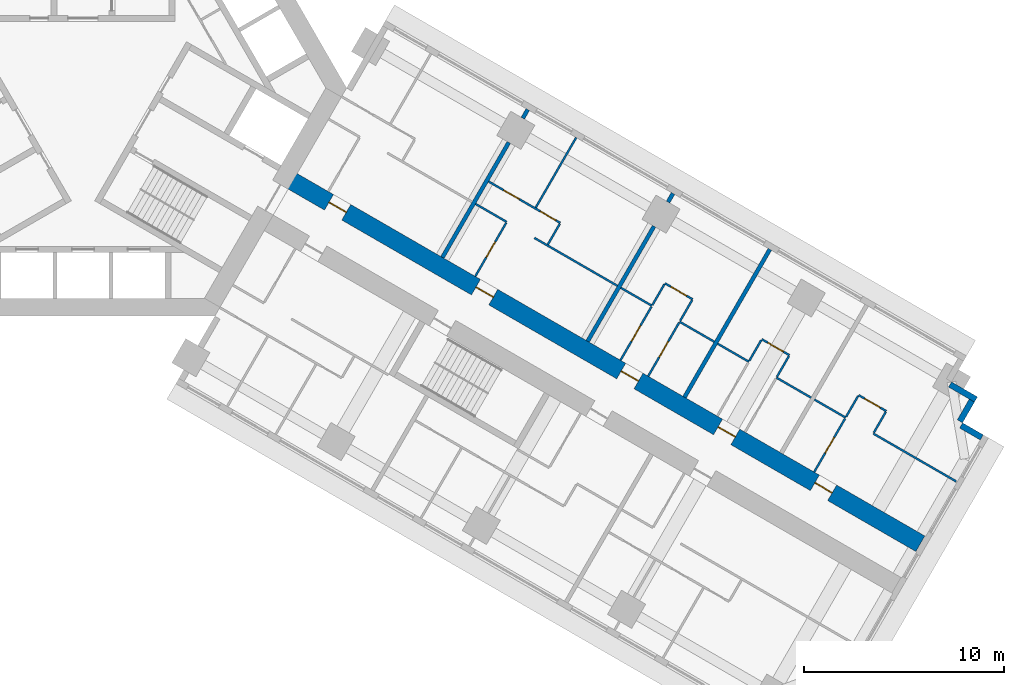
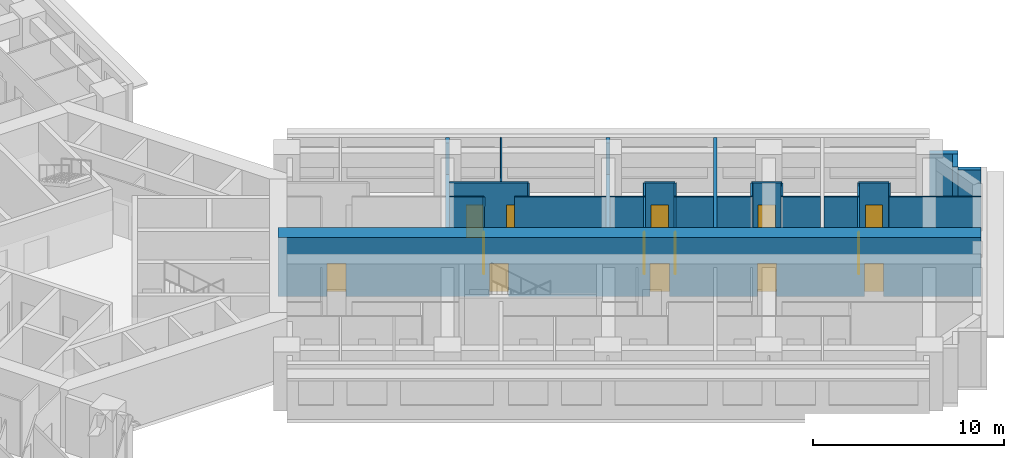
# One storey, part 12 of 16: 33 walls, 14 doors, 14 openings.
"""IFC4 building model written with IfcOpenShell, lengths in metres."""

from ifc_helpers import new_model, si_unit, direction, frame, frame_2d, origin, place, context, subcontext, project, spatial, rectangle, extrude, material, layer, layer_set, type_object, element, fill, save


model = new_model("IFC4")

# Units and contexts
model_context = context("Model", 3, precision=1e-05, world=origin(), true_north=direction((0.0, 1.0)))
body_context = subcontext(model_context, "Body", "Model", "MODEL_VIEW")
ifc_project = project(units=[si_unit("LENGTHUNIT", "METRE"), si_unit("AREAUNIT", "SQUARE_METRE"), si_unit("VOLUMEUNIT", "CUBIC_METRE"), si_unit("PLANEANGLEUNIT", "RADIAN"), si_unit("MASSUNIT", "GRAM", prefix="KILO")], contexts=[model_context])

# Site, building, storey
site_placement = place(None, origin())
site = spatial("IfcSite", under=ifc_project, at=site_placement, CompositionType="ELEMENT")
building_placement = place(site_placement, origin())
building = spatial("IfcBuilding", under=site, at=building_placement, Name="Impinga Residences", CompositionType="ELEMENT")
storey_placement = place(building_placement, frame((0.0, 0.0, 74.75)))
storey = spatial("IfcBuildingStorey", under=building, at=storey_placement, Name="L18", CompositionType="ELEMENT", Elevation=74.75)

# Wall, openings, doors
ifc_material_1 = material(Name="Concrete C70/85", Category="concrete")
ifc_layer_1 = layer(ifc_material_1, 0.89990234375)
ifc_layer_set_1 = layer_set([ifc_layer_1], Name="Concrete C70/85")
wall_type_1 = type_object("IfcWallType", Name="BW1 corridor buttress wall, L05 to L22 900", PredefinedType="SHEAR", material=ifc_layer_set_1)
wall_1_placement = place(storey_placement, frame((10.1103515625, -4.451416015625, 0.0), z_axis=(0.0, 0.0, 1.0), x_axis=(0.866025284237, -0.500000207062, 0.0)))
wall_1 = element("IfcWall", 1, at=wall_1_placement, inside=storey, type_object=wall_type_1, Name="Corridor wall BW1 EC L18", PredefinedType="SHEAR", context=body_context, shape_type="SweptSolid", body=[
    extrude(rectangle(XDim=36.75, YDim=0.89990234375, at=frame_2d((18.375, 0.0))), origin(), (0.0, 0.0, 1.0), 3.75),
])
opening_1_placement = place(wall_1_placement, frame((2.550048828125, 0.0, 0.0)))
opening_1 = element("IfcOpeningElement", 2, at=opening_1_placement, cuts=wall_1, Name="Opening D1", PredefinedType="OPENING", context=body_context, shape_type="SweptSolid", body=[
    extrude(rectangle(XDim=1.0, YDim=2.10009765625, at=frame_2d((0.5, 1.050048828125))), frame((0.0, 0.4599609375, 0.0), z_axis=(0.0, -1.0, 0.0), x_axis=(1.0, 0.0, 0.0)), (0.0, 0.0, 1.0), 0.919921875),
])
opening_2_placement = place(wall_1_placement, frame((11.050048828125, 0.0, 0.0)))
opening_2 = element("IfcOpeningElement", 3, at=opening_2_placement, cuts=wall_1, Name="Opening D1", PredefinedType="OPENING", context=body_context, shape_type="SweptSolid", body=[
    extrude(rectangle(XDim=1.0, YDim=2.10009765625, at=frame_2d((0.5, 1.050048828125))), frame((0.0, 0.4599609375, 0.0), z_axis=(0.0, -1.0, 0.0), x_axis=(1.0, 0.0, 0.0)), (0.0, 0.0, 1.0), 0.919921875),
])
opening_3_placement = place(wall_1_placement, frame((19.449951171875, 0.0, 0.0)))
opening_3 = element("IfcOpeningElement", 4, at=opening_3_placement, cuts=wall_1, Name="Opening D1", PredefinedType="OPENING", context=body_context, shape_type="SweptSolid", body=[
    extrude(rectangle(XDim=1.0, YDim=2.10009765625, at=frame_2d((0.5, 1.050048828125))), frame((0.0, 0.4599609375, 0.0), z_axis=(0.0, -1.0, 0.0), x_axis=(1.0, 0.0, 0.0)), (0.0, 0.0, 1.0), 0.919921875),
])
opening_4_placement = place(wall_1_placement, frame((25.050048828125, 0.0, 0.0)))
opening_4 = element("IfcOpeningElement", 5, at=opening_4_placement, cuts=wall_1, Name="Opening D1", PredefinedType="OPENING", context=body_context, shape_type="SweptSolid", body=[
    extrude(rectangle(XDim=1.0, YDim=2.10009765625, at=frame_2d((0.5, 1.050048828125))), frame((0.0, 0.4599609375, 0.0), z_axis=(0.0, -1.0, 0.0), x_axis=(1.0, 0.0, 0.0)), (0.0, 0.0, 1.0), 0.919921875),
])
opening_5_placement = place(wall_1_placement, frame((30.64990234375, 0.0, 0.0)))
opening_5 = element("IfcOpeningElement", 6, at=opening_5_placement, cuts=wall_1, Name="Opening D1", PredefinedType="OPENING", context=body_context, shape_type="SweptSolid", body=[
    extrude(rectangle(XDim=1.0, YDim=2.10009765625, at=frame_2d((0.5, 1.050048828125))), frame((0.0, 0.4599609375, 0.0), z_axis=(0.0, -1.0, 0.0), x_axis=(1.0, 0.0, 0.0)), (0.0, 0.0, 1.0), 0.919921875),
])
ifc_material_2 = material(Name="Timber door set", Category="wood")
door_type_1 = type_object("IfcDoorType", Name="D1 apartment entrance door 1000x2100", OperationType="SINGLE_SWING_LEFT", PredefinedType="DOOR", material=ifc_material_2)
door_1_placement = place(opening_1_placement, origin())
door_1 = element("IfcDoor", 7, at=door_1_placement, inside=storey, type_object=door_type_1, Name="Apartment L18-EA1 entrance", OperationType="SINGLE_SWING_LEFT", OverallHeight=2.10009765625, OverallWidth=1.0, PredefinedType="DOOR", context=body_context, shape_type="SweptSolid", body=[
    extrude(rectangle(XDim=1.0, YDim=2.10009765625, at=frame_2d((0.5, 1.050048828125))), frame((0.0, 0.02490234375, 0.0), z_axis=(0.0, -1.0, 0.0), x_axis=(1.0, 0.0, 0.0)), (0.0, 0.0, 1.0), 0.050048828125),
])
fill(opening_1, door_1)
door_2_placement = place(opening_2_placement, origin())
door_2 = element("IfcDoor", 8, at=door_2_placement, inside=storey, type_object=door_type_1, Name="Apartment L18-EA2 entrance", OperationType="SINGLE_SWING_LEFT", OverallHeight=2.10009765625, OverallWidth=1.0, PredefinedType="DOOR", context=body_context, shape_type="SweptSolid", body=[
    extrude(rectangle(XDim=1.0, YDim=2.10009765625, at=frame_2d((0.5, 1.050048828125))), frame((0.0, 0.02490234375, 0.0), z_axis=(0.0, -1.0, 0.0), x_axis=(1.0, 0.0, 0.0)), (0.0, 0.0, 1.0), 0.050048828125),
])
fill(opening_2, door_2)
door_3_placement = place(opening_3_placement, origin())
door_3 = element("IfcDoor", 9, at=door_3_placement, inside=storey, type_object=door_type_1, Name="Apartment L18-EA3 entrance", OperationType="SINGLE_SWING_RIGHT", OverallHeight=2.10009765625, OverallWidth=1.0, PredefinedType="DOOR", context=body_context, shape_type="SweptSolid", body=[
    extrude(rectangle(XDim=1.0, YDim=2.10009765625, at=frame_2d((0.5, 1.050048828125))), frame((0.0, 0.02490234375, 0.0), z_axis=(0.0, -1.0, 0.0), x_axis=(1.0, 0.0, 0.0)), (0.0, 0.0, 1.0), 0.050048828125),
])
fill(opening_3, door_3)
door_4_placement = place(opening_4_placement, origin())
door_4 = element("IfcDoor", 10, at=door_4_placement, inside=storey, type_object=door_type_1, Name="Apartment L18-EA4 entrance", OperationType="SINGLE_SWING_RIGHT", OverallHeight=2.10009765625, OverallWidth=1.0, PredefinedType="DOOR", context=body_context, shape_type="SweptSolid", body=[
    extrude(rectangle(XDim=1.0, YDim=2.10009765625, at=frame_2d((0.5, 1.050048828125))), frame((0.0, 0.02490234375, 0.0), z_axis=(0.0, -1.0, 0.0), x_axis=(1.0, 0.0, 0.0)), (0.0, 0.0, 1.0), 0.050048828125),
])
fill(opening_4, door_4)
door_5_placement = place(opening_5_placement, origin())
door_5 = element("IfcDoor", 11, at=door_5_placement, inside=storey, type_object=door_type_1, Name="Apartment L18-EA5 entrance", OperationType="SINGLE_SWING_RIGHT", OverallHeight=2.10009765625, OverallWidth=1.0, PredefinedType="DOOR", context=body_context, shape_type="SweptSolid", body=[
    extrude(rectangle(XDim=1.0, YDim=2.10009765625, at=frame_2d((0.5, 1.050048828125))), frame((0.0, 0.02490234375, 0.0), z_axis=(0.0, -1.0, 0.0), x_axis=(1.0, 0.0, 0.0)), (0.0, 0.0, 1.0), 0.050048828125),
])
fill(opening_5, door_5)

# Walls
ifc_material_3 = material(Name="Terracotta rainscreen on blockwork", Category="masonry")
ifc_layer_2 = layer(ifc_material_3, 0.300048828125)
ifc_layer_set_2 = layer_set([ifc_layer_2], Name="EW1 external wall, terracotta rainscreen on blockwork 300")
wall_type_2 = type_object("IfcWallType", Name="EW1 external wall, terracotta rainscreen on blockwork 300", PredefinedType="SOLIDWALL", material=ifc_layer_set_2)
wall_2_placement = place(storey_placement, frame((43.42333984375, -14.8515625, 0.0), z_axis=(0.0, 0.0, 1.0), x_axis=(0.866031096941, -0.499990139034, 0.0)))
element("IfcWall", 12, at=wall_2_placement, inside=storey, type_object=wall_type_2, Name="External wall EW1 L18", PredefinedType="SOLIDWALL", context=body_context, shape_type="SweptSolid", body=[
    extrude(rectangle(XDim=1.5, YDim=0.300048828125, at=frame_2d((0.75, 0.0))), origin(), (0.0, 0.0, 1.0), 3.530029296875),
])
wall_3_placement = place(storey_placement, frame((44.517578125, -15.65625, 0.0), z_axis=(0.0, 0.0, 1.0), x_axis=(-0.500033551112, -0.866006032174, 0.0)))
element("IfcWall", 13, at=wall_3_placement, inside=storey, type_object=wall_type_2, Name="External wall EW1 L18", PredefinedType="SOLIDWALL", context=body_context, shape_type="SweptSolid", body=[
    extrude(rectangle(XDim=1.2001953125, YDim=0.300048828125, at=frame_2d((0.60009765625, 0.0))), origin(), (0.0, 0.0, 1.0), 3.530029296875),
])
wall_4_placement = place(storey_placement, frame((43.976806640625, -16.903076171875, 0.0), z_axis=(0.0, 0.0, 1.0), x_axis=(0.866059708757, -0.499940577336, 0.0)))
element("IfcWall", 14, at=wall_4_placement, inside=storey, type_object=wall_type_2, Name="External wall EW1 L18", PredefinedType="SOLIDWALL", context=body_context, shape_type="SweptSolid", body=[
    extrude(rectangle(XDim=1.195068359375, YDim=0.300048828125, at=frame_2d((0.59765625, 0.0))), origin(), (0.0, 0.0, 1.0), 3.530029296875),
])
ifc_material_4 = material(Name="Gypsum board on steel studs", Category="steel")
ifc_layer_3 = layer(ifc_material_4, 0.10009765625)
ifc_layer_set_3 = layer_set([ifc_layer_3], Name="Gypsum board on steel studs")
wall_type_3 = type_object("IfcWallType", Name="IP1 partition 100", PredefinedType="PARTITIONING", material=ifc_layer_set_3)
wall_5_placement = place(storey_placement, frame((19.6611328125, -5.808837890625, 0.0), z_axis=(0.0, 0.0, 1.0), x_axis=(0.866047807691, -0.499961193289, 0.0)))
element("IfcWall", 15, at=wall_5_placement, inside=storey, type_object=wall_type_3, Name="Partition L18-EA2:DIV0", PredefinedType="PARTITIONING", context=body_context, shape_type="SweptSolid", body=[
    extrude(rectangle(XDim=1.800048828125, YDim=0.10009765625, at=frame_2d((0.89990234375, 0.0))), origin(), (0.0, 0.0, 1.0), 3.530029296875),
])
wall_6_placement = place(storey_placement, frame((22.605712890625, -7.5087890625, 0.0), z_axis=(0.0, 0.0, 1.0), x_axis=(0.866015339567, -0.500017431331, 0.0)))
element("IfcWall", 16, at=wall_6_placement, inside=storey, type_object=wall_type_3, Name="Partition L18-EA2:DIV1", PredefinedType="PARTITIONING", context=body_context, shape_type="SweptSolid", body=[
    extrude(rectangle(XDim=4.800048828125, YDim=0.10009765625, at=frame_2d((2.39990234375, 0.0))), origin(), (0.0, 0.0, 1.0), 3.530029296875),
])

# Wall, openings, doors
wall_7_placement = place(storey_placement, frame((20.311279296875, -4.68310546875, 0.0), z_axis=(0.0, 0.0, 1.0), x_axis=(0.86602981871, -0.499992353047, 0.0)))
wall_7 = element("IfcWall", 17, at=wall_7_placement, inside=storey, type_object=wall_type_3, Name="Partition L18-EA2:STRIP", PredefinedType="PARTITIONING", context=body_context, shape_type="SweptSolid", body=[
    extrude(rectangle(XDim=4.14990234375, YDim=0.10009765625, at=frame_2d((2.074951171875, 0.0))), origin(), (0.0, 0.0, 1.0), 3.530029296875),
])
opening_6_placement = place(wall_7_placement, frame((0.875, 0.0, 0.0)))
opening_6 = element("IfcOpeningElement", 18, at=opening_6_placement, cuts=wall_7, Name="Opening D2", PredefinedType="OPENING", context=body_context, shape_type="SweptSolid", body=[
    extrude(rectangle(XDim=0.89990234375, YDim=2.10009765625, at=frame_2d((0.449951171875, 1.050048828125))), frame((0.0, 0.06005859375, 0.0), z_axis=(0.0, -1.0, 0.0), x_axis=(1.0, 0.0, 0.0)), (0.0, 0.0, 1.0), 0.1201171875),
])
opening_7_placement = place(wall_7_placement, frame((3.0, 0.0, 0.0)))
opening_7 = element("IfcOpeningElement", 19, at=opening_7_placement, cuts=wall_7, Name="Opening D2", PredefinedType="OPENING", context=body_context, shape_type="SweptSolid", body=[
    extrude(rectangle(XDim=0.89990234375, YDim=2.10009765625, at=frame_2d((0.449951171875, 1.050048828125))), frame((0.0, 0.06005859375, 0.0), z_axis=(0.0, -1.0, 0.0), x_axis=(1.0, 0.0, 0.0)), (0.0, 0.0, 1.0), 0.1201171875),
])
door_type_2 = type_object("IfcDoorType", Name="D2 internal door 900x2100", OperationType="SINGLE_SWING_LEFT", PredefinedType="DOOR", material=ifc_material_2)
door_6_placement = place(opening_6_placement, origin())
door_6 = element("IfcDoor", 20, at=door_6_placement, inside=storey, type_object=door_type_2, Name="Apartment L18-EA2 room door", OperationType="SINGLE_SWING_LEFT", OverallHeight=2.10009765625, OverallWidth=0.89990234375, PredefinedType="DOOR", context=body_context, shape_type="SweptSolid", body=[
    extrude(rectangle(XDim=0.89990234375, YDim=2.10009765625, at=frame_2d((0.449951171875, 1.050048828125))), frame((0.0, 0.02490234375, 0.0), z_axis=(0.0, -1.0, 0.0), x_axis=(1.0, 0.0, 0.0)), (0.0, 0.0, 1.0), 0.050048828125),
])
fill(opening_6, door_6)
door_7_placement = place(opening_7_placement, origin())
door_7 = element("IfcDoor", 21, at=door_7_placement, inside=storey, type_object=door_type_2, Name="Apartment L18-EA2 room door", OperationType="SINGLE_SWING_RIGHT", OverallHeight=2.10009765625, OverallWidth=0.89990234375, PredefinedType="DOOR", context=body_context, shape_type="SweptSolid", body=[
    extrude(rectangle(XDim=0.89990234375, YDim=2.10009765625, at=frame_2d((0.449951171875, 1.050048828125))), frame((0.0, 0.02490234375, 0.0), z_axis=(0.0, -1.0, 0.0), x_axis=(1.0, 0.0, 0.0)), (0.0, 0.0, 1.0), 0.050048828125),
])
fill(opening_7, door_7)

# Wall
wall_8_placement = place(storey_placement, frame((23.2802734375, -7.840576171875, 0.0), z_axis=(0.0, 0.0, 1.0), x_axis=(0.499880961361, 0.866094119867, 0.0)))
element("IfcWall", 22, at=wall_8_placement, inside=storey, type_object=wall_type_3, Name="Partition L18-EA2:SE1", PredefinedType="PARTITIONING", context=body_context, shape_type="SweptSolid", body=[
    extrude(rectangle(XDim=1.199951171875, YDim=0.10009765625, at=frame_2d((0.60009765625, 0.0))), origin(), (0.0, 0.0, 1.0), 3.530029296875),
])

# Wall, opening, door
wall_9_placement = place(storey_placement, frame((19.64501953125, -9.436767578125, 0.0), z_axis=(0.0, 0.0, 1.0), x_axis=(0.500026960575, 0.86600983753, 0.0)))
wall_9 = element("IfcWall", 23, at=wall_9_placement, inside=storey, type_object=wall_type_3, Name="Partition L18-EA2:IB1", PredefinedType="PARTITIONING", context=body_context, shape_type="SweptSolid", body=[
    extrude(rectangle(XDim=3.099853515625, YDim=0.10009765625, at=frame_2d((1.5498046875, 0.0))), origin(), (0.0, 0.0, 1.0), 3.530029296875),
])
opening_8_placement = place(wall_9_placement, frame((1.10009765625, 0.0, 0.0)))
opening_8 = element("IfcOpeningElement", 24, at=opening_8_placement, cuts=wall_9, Name="Opening D2", PredefinedType="OPENING", context=body_context, shape_type="SweptSolid", body=[
    extrude(rectangle(XDim=0.89990234375, YDim=2.10009765625, at=frame_2d((0.449951171875, 1.050048828125))), frame((0.0, 0.06005859375, 0.0), z_axis=(0.0, -1.0, 0.0), x_axis=(1.0, 0.0, 0.0)), (0.0, 0.0, 1.0), 0.1201171875),
])
door_8_placement = place(opening_8_placement, origin())
door_8 = element("IfcDoor", 25, at=door_8_placement, inside=storey, type_object=door_type_2, Name="Apartment L18-EA2 bathroom door", OperationType="SINGLE_SWING_LEFT", OverallHeight=2.10009765625, OverallWidth=0.89990234375, PredefinedType="DOOR", context=body_context, shape_type="SweptSolid", body=[
    extrude(rectangle(XDim=0.89990234375, YDim=2.10009765625, at=frame_2d((0.449951171875, 1.050048828125))), frame((0.0, 0.02490234375, 0.0), z_axis=(0.0, -1.0, 0.0), x_axis=(1.0, 0.0, 0.0)), (0.0, 0.0, 1.0), 0.050048828125),
])
fill(opening_8, door_8)

# Walls
wall_10_placement = place(storey_placement, frame((22.674560546875, -5.98974609375, 0.0), z_axis=(0.0, 0.0, 1.0), x_axis=(0.499990325971, 0.866030989016, 0.0)))
element("IfcWall", 26, at=wall_10_placement, inside=storey, type_object=wall_type_3, Name="Partition L18-EA2:OB1", PredefinedType="PARTITIONING", context=body_context, shape_type="SweptSolid", body=[
    extrude(rectangle(XDim=4.0498046875, YDim=0.10009765625, at=frame_2d((2.02490234375, 0.0))), origin(), (0.0, 0.0, 1.0), 3.530029296875),
])
wall_11_placement = place(storey_placement, frame((26.935791015625, -10.0087890625, 0.0), z_axis=(0.0, 0.0, 1.0), x_axis=(0.865989075817, -0.500062916607, 0.0)))
element("IfcWall", 27, at=wall_11_placement, inside=storey, type_object=wall_type_3, Name="Partition L18-EA3:DIV0", PredefinedType="PARTITIONING", context=body_context, shape_type="SweptSolid", body=[
    extrude(rectangle(XDim=1.800048828125, YDim=0.10009765625, at=frame_2d((0.89990234375, 0.0))), origin(), (0.0, 0.0, 1.0), 3.530029296875),
])
wall_12_placement = place(storey_placement, frame((29.88037109375, -11.708740234375, 0.0), z_axis=(0.0, 0.0, 1.0), x_axis=(0.866010750942, -0.50002537861, 0.0)))
element("IfcWall", 28, at=wall_12_placement, inside=storey, type_object=wall_type_3, Name="Partition L18-EA3:DIV1", PredefinedType="PARTITIONING", context=body_context, shape_type="SweptSolid", body=[
    extrude(rectangle(XDim=2.0, YDim=0.10009765625, at=frame_2d((1.0, 0.0))), origin(), (0.0, 0.0, 1.0), 3.530029296875),
])

# Wall, opening, door
wall_13_placement = place(storey_placement, frame((29.144775390625, -9.782958984375, 0.0), z_axis=(0.0, 0.0, 1.0), x_axis=(0.865989903783, -0.500061482766, 0.0)))
wall_13 = element("IfcWall", 29, at=wall_13_placement, inside=storey, type_object=wall_type_3, Name="Partition L18-EA3:STRIP", PredefinedType="PARTITIONING", context=body_context, shape_type="SweptSolid", body=[
    extrude(rectangle(XDim=1.599853515625, YDim=0.10009765625, at=frame_2d((0.7998046875, 0.0))), origin(), (0.0, 0.0, 1.0), 3.530029296875),
])
opening_9_placement = place(wall_13_placement, frame((0.35009765625, 0.0, 0.0)))
opening_9 = element("IfcOpeningElement", 30, at=opening_9_placement, cuts=wall_13, Name="Opening D2", PredefinedType="OPENING", context=body_context, shape_type="SweptSolid", body=[
    extrude(rectangle(XDim=0.89990234375, YDim=2.10009765625, at=frame_2d((0.449951171875, 1.050048828125))), frame((0.0, 0.06005859375, 0.0), z_axis=(0.0, -1.0, 0.0), x_axis=(1.0, 0.0, 0.0)), (0.0, 0.0, 1.0), 0.1201171875),
])
door_9_placement = place(opening_9_placement, origin())
door_9 = element("IfcDoor", 31, at=door_9_placement, inside=storey, type_object=door_type_2, Name="Apartment L18-EA3 room door", OperationType="SINGLE_SWING_LEFT", OverallHeight=2.10009765625, OverallWidth=0.89990234375, PredefinedType="DOOR", context=body_context, shape_type="SweptSolid", body=[
    extrude(rectangle(XDim=0.89990234375, YDim=2.10009765625, at=frame_2d((0.449951171875, 1.050048828125))), frame((0.0, 0.02490234375, 0.0), z_axis=(0.0, -1.0, 0.0), x_axis=(1.0, 0.0, 0.0)), (0.0, 0.0, 1.0), 0.050048828125),
])
fill(opening_9, door_9)

# Walls
wall_14_placement = place(storey_placement, frame((28.519775390625, -10.865478515625, 0.0), z_axis=(0.0, 0.0, 1.0), x_axis=(0.499969057507, 0.866043267704, 0.0)))
element("IfcWall", 32, at=wall_14_placement, inside=storey, type_object=wall_type_3, Name="Partition L18-EA3:SE0", PredefinedType="PARTITIONING", context=body_context, shape_type="SweptSolid", body=[
    extrude(rectangle(XDim=1.19970703125, YDim=0.10009765625, at=frame_2d((0.599853515625, 0.0))), origin(), (0.0, 0.0, 1.0), 3.530029296875),
])
wall_15_placement = place(storey_placement, frame((29.9052734375, -11.66552734375, 0.0), z_axis=(0.0, 0.0, 1.0), x_axis=(0.500033551112, 0.866006032174, 0.0)))
element("IfcWall", 33, at=wall_15_placement, inside=storey, type_object=wall_type_3, Name="Partition L18-EA3:SE1", PredefinedType="PARTITIONING", context=body_context, shape_type="SweptSolid", body=[
    extrude(rectangle(XDim=1.2001953125, YDim=0.10009765625, at=frame_2d((0.60009765625, 0.0))), origin(), (0.0, 0.0, 1.0), 3.530029296875),
])

# Wall, opening, door
wall_16_placement = place(storey_placement, frame((26.919677734375, -13.63671875, 0.0), z_axis=(0.0, 0.0, 1.0), x_axis=(0.500026960575, 0.86600983753, 0.0)))
wall_16 = element("IfcWall", 34, at=wall_16_placement, inside=storey, type_object=wall_type_3, Name="Partition L18-EA3:IB1", PredefinedType="PARTITIONING", context=body_context, shape_type="SweptSolid", body=[
    extrude(rectangle(XDim=3.099853515625, YDim=0.10009765625, at=frame_2d((1.5498046875, 0.0))), origin(), (0.0, 0.0, 1.0), 3.530029296875),
])
opening_10_placement = place(wall_16_placement, frame((1.10009765625, 0.0, 0.0)))
opening_10 = element("IfcOpeningElement", 35, at=opening_10_placement, cuts=wall_16, Name="Opening D2", PredefinedType="OPENING", context=body_context, shape_type="SweptSolid", body=[
    extrude(rectangle(XDim=0.89990234375, YDim=2.10009765625, at=frame_2d((0.449951171875, 1.050048828125))), frame((0.0, 0.06005859375, 0.0), z_axis=(0.0, -1.0, 0.0), x_axis=(1.0, 0.0, 0.0)), (0.0, 0.0, 1.0), 0.1201171875),
])
door_10_placement = place(opening_10_placement, origin())
door_10 = element("IfcDoor", 36, at=door_10_placement, inside=storey, type_object=door_type_2, Name="Apartment L18-EA3 bathroom door", OperationType="SINGLE_SWING_LEFT", OverallHeight=2.10009765625, OverallWidth=0.89990234375, PredefinedType="DOOR", context=body_context, shape_type="SweptSolid", body=[
    extrude(rectangle(XDim=0.89990234375, YDim=2.10009765625, at=frame_2d((0.449951171875, 1.050048828125))), frame((0.0, 0.02490234375, 0.0), z_axis=(0.0, -1.0, 0.0), x_axis=(1.0, 0.0, 0.0)), (0.0, 0.0, 1.0), 0.050048828125),
])
fill(opening_10, door_10)

wall_17_placement = place(storey_placement, frame((28.305419921875, -14.436767578125, 0.0), z_axis=(0.0, 0.0, 1.0), x_axis=(0.499967891604, 0.866043940782, 0.0)))
wall_17 = element("IfcWall", 37, at=wall_17_placement, inside=storey, type_object=wall_type_3, Name="Partition L18-EA3:IB2", PredefinedType="PARTITIONING", context=body_context, shape_type="SweptSolid", body=[
    extrude(rectangle(XDim=3.099853515625, YDim=0.10009765625, at=frame_2d((1.5498046875, 0.0))), origin(), (0.0, 0.0, 1.0), 3.530029296875),
])
opening_11_placement = place(wall_17_placement, frame((1.10009765625, 0.0, 0.0)))
opening_11 = element("IfcOpeningElement", 38, at=opening_11_placement, cuts=wall_17, Name="Opening D2", PredefinedType="OPENING", context=body_context, shape_type="SweptSolid", body=[
    extrude(rectangle(XDim=0.89990234375, YDim=2.10009765625, at=frame_2d((0.449951171875, 1.050048828125))), frame((0.0, 0.06005859375, 0.0), z_axis=(0.0, -1.0, 0.0), x_axis=(1.0, 0.0, 0.0)), (0.0, 0.0, 1.0), 0.1201171875),
])
door_11_placement = place(opening_11_placement, origin())
door_11 = element("IfcDoor", 39, at=door_11_placement, inside=storey, type_object=door_type_2, Name="Apartment L18-EA3 WC door", OperationType="SINGLE_SWING_LEFT", OverallHeight=2.10009765625, OverallWidth=0.89990234375, PredefinedType="DOOR", context=body_context, shape_type="SweptSolid", body=[
    extrude(rectangle(XDim=0.89990234375, YDim=2.10009765625, at=frame_2d((0.449951171875, 1.050048828125))), frame((0.0, 0.02490234375, 0.0), z_axis=(0.0, -1.0, 0.0), x_axis=(1.0, 0.0, 0.0)), (0.0, 0.0, 1.0), 0.050048828125),
])
fill(opening_11, door_11)

# Walls
wall_18_placement = place(storey_placement, frame((31.78564453125, -12.808837890625, 0.0), z_axis=(0.0, 0.0, 1.0), x_axis=(0.866047807691, -0.499961193289, 0.0)))
element("IfcWall", 40, at=wall_18_placement, inside=storey, type_object=wall_type_3, Name="Partition L18-EA4:DIV0", PredefinedType="PARTITIONING", context=body_context, shape_type="SweptSolid", body=[
    extrude(rectangle(XDim=1.800048828125, YDim=0.10009765625, at=frame_2d((0.89990234375, 0.0))), origin(), (0.0, 0.0, 1.0), 3.530029296875),
])
wall_19_placement = place(storey_placement, frame((34.72998046875, -14.5087890625, 0.0), z_axis=(0.0, 0.0, 1.0), x_axis=(0.866041268327, -0.499972520799, 0.0)))
element("IfcWall", 41, at=wall_19_placement, inside=storey, type_object=wall_type_3, Name="Partition L18-EA4:DIV1", PredefinedType="PARTITIONING", context=body_context, shape_type="SweptSolid", body=[
    extrude(rectangle(XDim=2.0, YDim=0.10009765625, at=frame_2d((1.0, 0.0))), origin(), (0.0, 0.0, 1.0), 3.530029296875),
])

# Wall, opening, door
wall_20_placement = place(storey_placement, frame((33.994384765625, -12.5830078125, 0.0), z_axis=(0.0, 0.0, 1.0), x_axis=(0.866028054938, -0.499995408039, 0.0)))
wall_20 = element("IfcWall", 42, at=wall_20_placement, inside=storey, type_object=wall_type_3, Name="Partition L18-EA4:STRIP", PredefinedType="PARTITIONING", context=body_context, shape_type="SweptSolid", body=[
    extrude(rectangle(XDim=1.60009765625, YDim=0.10009765625, at=frame_2d((0.800048828125, 0.0))), origin(), (0.0, 0.0, 1.0), 3.530029296875),
])
opening_12_placement = place(wall_20_placement, frame((0.35009765625, 0.0, 0.0)))
opening_12 = element("IfcOpeningElement", 43, at=opening_12_placement, cuts=wall_20, Name="Opening D2", PredefinedType="OPENING", context=body_context, shape_type="SweptSolid", body=[
    extrude(rectangle(XDim=0.89990234375, YDim=2.10009765625, at=frame_2d((0.449951171875, 1.050048828125))), frame((0.0, 0.06005859375, 0.0), z_axis=(0.0, -1.0, 0.0), x_axis=(1.0, 0.0, 0.0)), (0.0, 0.0, 1.0), 0.1201171875),
])
door_12_placement = place(opening_12_placement, origin())
door_12 = element("IfcDoor", 44, at=door_12_placement, inside=storey, type_object=door_type_2, Name="Apartment L18-EA4 room door", OperationType="SINGLE_SWING_LEFT", OverallHeight=2.10009765625, OverallWidth=0.89990234375, PredefinedType="DOOR", context=body_context, shape_type="SweptSolid", body=[
    extrude(rectangle(XDim=0.89990234375, YDim=2.10009765625, at=frame_2d((0.449951171875, 1.050048828125))), frame((0.0, 0.02490234375, 0.0), z_axis=(0.0, -1.0, 0.0), x_axis=(1.0, 0.0, 0.0)), (0.0, 0.0, 1.0), 0.050048828125),
])
fill(opening_12, door_12)

# Walls
wall_21_placement = place(storey_placement, frame((33.369384765625, -13.66552734375, 0.0), z_axis=(0.0, 0.0, 1.0), x_axis=(0.500033551112, 0.866006032174, 0.0)))
element("IfcWall", 45, at=wall_21_placement, inside=storey, type_object=wall_type_3, Name="Partition L18-EA4:SE0", PredefinedType="PARTITIONING", context=body_context, shape_type="SweptSolid", body=[
    extrude(rectangle(XDim=1.2001953125, YDim=0.10009765625, at=frame_2d((0.60009765625, 0.0))), origin(), (0.0, 0.0, 1.0), 3.530029296875),
])
wall_22_placement = place(storey_placement, frame((34.755126953125, -14.465576171875, 0.0), z_axis=(0.0, 0.0, 1.0), x_axis=(0.499880961361, 0.866094119867, 0.0)))
element("IfcWall", 46, at=wall_22_placement, inside=storey, type_object=wall_type_3, Name="Partition L18-EA4:SE1", PredefinedType="PARTITIONING", context=body_context, shape_type="SweptSolid", body=[
    extrude(rectangle(XDim=1.199951171875, YDim=0.10009765625, at=frame_2d((0.60009765625, 0.0))), origin(), (0.0, 0.0, 1.0), 3.530029296875),
])
wall_23_placement = place(storey_placement, frame((36.63525390625, -15.60888671875, 0.0), z_axis=(0.0, 0.0, 1.0), x_axis=(0.866047807691, -0.499961193289, 0.0)))
element("IfcWall", 47, at=wall_23_placement, inside=storey, type_object=wall_type_3, Name="Partition L18-EA5:DIV0", PredefinedType="PARTITIONING", context=body_context, shape_type="SweptSolid", body=[
    extrude(rectangle(XDim=1.800048828125, YDim=0.10009765625, at=frame_2d((0.89990234375, 0.0))), origin(), (0.0, 0.0, 1.0), 3.530029296875),
])
wall_24_placement = place(storey_placement, frame((39.579833984375, -17.308837890625, 0.0), z_axis=(0.0, 0.0, 1.0), x_axis=(0.866037363387, -0.499979284789, 0.0)))
element("IfcWall", 48, at=wall_24_placement, inside=storey, type_object=wall_type_3, Name="Partition L18-EA5:DIV1", PredefinedType="PARTITIONING", context=body_context, shape_type="SweptSolid", body=[
    extrude(rectangle(XDim=4.800048828125, YDim=0.10009765625, at=frame_2d((2.39990234375, 0.0))), origin(), (0.0, 0.0, 1.0), 3.530029296875),
])

# Wall, opening, door
wall_25_placement = place(storey_placement, frame((38.84423828125, -15.383056640625, 0.0), z_axis=(0.0, 0.0, 1.0), x_axis=(0.865989903783, -0.500061482766, 0.0)))
wall_25 = element("IfcWall", 49, at=wall_25_placement, inside=storey, type_object=wall_type_3, Name="Partition L18-EA5:STRIP", PredefinedType="PARTITIONING", context=body_context, shape_type="SweptSolid", body=[
    extrude(rectangle(XDim=1.599853515625, YDim=0.10009765625, at=frame_2d((0.7998046875, 0.0))), origin(), (0.0, 0.0, 1.0), 3.530029296875),
])
opening_13_placement = place(wall_25_placement, frame((0.35009765625, 0.0, 0.0)))
opening_13 = element("IfcOpeningElement", 50, at=opening_13_placement, cuts=wall_25, Name="Opening D2", PredefinedType="OPENING", context=body_context, shape_type="SweptSolid", body=[
    extrude(rectangle(XDim=0.89990234375, YDim=2.10009765625, at=frame_2d((0.449951171875, 1.050048828125))), frame((0.0, 0.06005859375, 0.0), z_axis=(0.0, -1.0, 0.0), x_axis=(1.0, 0.0, 0.0)), (0.0, 0.0, 1.0), 0.1201171875),
])
door_13_placement = place(opening_13_placement, origin())
door_13 = element("IfcDoor", 51, at=door_13_placement, inside=storey, type_object=door_type_2, Name="Apartment L18-EA5 room door", OperationType="SINGLE_SWING_LEFT", OverallHeight=2.10009765625, OverallWidth=0.89990234375, PredefinedType="DOOR", context=body_context, shape_type="SweptSolid", body=[
    extrude(rectangle(XDim=0.89990234375, YDim=2.10009765625, at=frame_2d((0.449951171875, 1.050048828125))), frame((0.0, 0.02490234375, 0.0), z_axis=(0.0, -1.0, 0.0), x_axis=(1.0, 0.0, 0.0)), (0.0, 0.0, 1.0), 0.050048828125),
])
fill(opening_13, door_13)

# Walls
wall_26_placement = place(storey_placement, frame((38.21923828125, -16.465576171875, 0.0), z_axis=(0.0, 0.0, 1.0), x_axis=(0.499880961361, 0.866094119867, 0.0)))
element("IfcWall", 52, at=wall_26_placement, inside=storey, type_object=wall_type_3, Name="Partition L18-EA5:SE0", PredefinedType="PARTITIONING", context=body_context, shape_type="SweptSolid", body=[
    extrude(rectangle(XDim=1.199951171875, YDim=0.10009765625, at=frame_2d((0.60009765625, 0.0))), origin(), (0.0, 0.0, 1.0), 3.530029296875),
])
wall_27_placement = place(storey_placement, frame((39.604736328125, -17.265625, 0.0), z_axis=(0.0, 0.0, 1.0), x_axis=(0.500033551112, 0.866006032174, 0.0)))
element("IfcWall", 53, at=wall_27_placement, inside=storey, type_object=wall_type_3, Name="Partition L18-EA5:SE1", PredefinedType="PARTITIONING", context=body_context, shape_type="SweptSolid", body=[
    extrude(rectangle(XDim=1.2001953125, YDim=0.10009765625, at=frame_2d((0.60009765625, 0.0))), origin(), (0.0, 0.0, 1.0), 3.530029296875),
])

# Wall, opening, door
wall_28_placement = place(storey_placement, frame((36.619140625, -19.23681640625, 0.0), z_axis=(0.0, 0.0, 1.0), x_axis=(0.500026960575, 0.86600983753, 0.0)))
wall_28 = element("IfcWall", 54, at=wall_28_placement, inside=storey, type_object=wall_type_3, Name="Partition L18-EA5:IB1", PredefinedType="PARTITIONING", context=body_context, shape_type="SweptSolid", body=[
    extrude(rectangle(XDim=3.099853515625, YDim=0.10009765625, at=frame_2d((1.5498046875, 0.0))), origin(), (0.0, 0.0, 1.0), 3.530029296875),
])
opening_14_placement = place(wall_28_placement, frame((1.10009765625, 0.0, 0.0)))
opening_14 = element("IfcOpeningElement", 55, at=opening_14_placement, cuts=wall_28, Name="Opening D2", PredefinedType="OPENING", context=body_context, shape_type="SweptSolid", body=[
    extrude(rectangle(XDim=0.89990234375, YDim=2.10009765625, at=frame_2d((0.449951171875, 1.050048828125))), frame((0.0, 0.06005859375, 0.0), z_axis=(0.0, -1.0, 0.0), x_axis=(1.0, 0.0, 0.0)), (0.0, 0.0, 1.0), 0.1201171875),
])
door_14_placement = place(opening_14_placement, origin())
door_14 = element("IfcDoor", 56, at=door_14_placement, inside=storey, type_object=door_type_2, Name="Apartment L18-EA5 bathroom door", OperationType="SINGLE_SWING_LEFT", OverallHeight=2.10009765625, OverallWidth=0.89990234375, PredefinedType="DOOR", context=body_context, shape_type="SweptSolid", body=[
    extrude(rectangle(XDim=0.89990234375, YDim=2.10009765625, at=frame_2d((0.449951171875, 1.050048828125))), frame((0.0, 0.02490234375, 0.0), z_axis=(0.0, -1.0, 0.0), x_axis=(1.0, 0.0, 0.0)), (0.0, 0.0, 1.0), 0.050048828125),
])
fill(opening_14, door_14)

# Walls
ifc_material_5 = material(Name="Concrete blockwork", Category="masonry")
ifc_layer_4 = layer(ifc_material_5, 0.199951171875)
ifc_layer_set_4 = layer_set([ifc_layer_4], Name="PW1 party wall between apartments 200")
wall_type_4 = type_object("IfcWallType", Name="PW1 party wall between apartments 200", PredefinedType="SOLIDWALL", material=ifc_layer_set_4)
wall_29_placement = place(storey_placement, frame((17.99951171875, -8.48681640625, 0.0), z_axis=(0.0, 0.0, 1.0), x_axis=(0.500024353964, 0.86601134256, 0.0)))
element("IfcWall", 57, at=wall_29_placement, inside=storey, type_object=wall_type_4, Name="Party wall between apartments L18-EA1:PARTY", PredefinedType="SOLIDWALL", context=body_context, shape_type="SweptSolid", body=[
    extrude(rectangle(XDim=6.650146484375, YDim=0.199951171875, at=frame_2d((3.3251953125, 0.0))), origin(), (0.0, 0.0, 1.0), 2.47998046875),
])
wall_30_placement = place(storey_placement, frame((22.024658203125, -1.515380859375, 0.0), z_axis=(0.0, 0.0, 1.0), x_axis=(0.499919672301, 0.866071776036, 0.0)))
element("IfcWall", 58, at=wall_30_placement, inside=storey, type_object=wall_type_4, Name="Party wall between apartments L18-EA1:PARTYb", PredefinedType="SOLIDWALL", context=body_context, shape_type="SweptSolid", body=[
    extrude(rectangle(XDim=0.5, YDim=0.199951171875, at=frame_2d((0.25, 0.0))), origin(), (0.0, 0.0, 1.0), 3.530029296875),
])
wall_31_placement = place(storey_placement, frame((25.274169921875, -12.686767578125, 0.0), z_axis=(0.0, 0.0, 1.0), x_axis=(0.49999681972, 0.866027239912, 0.0)))
element("IfcWall", 59, at=wall_31_placement, inside=storey, type_object=wall_type_4, Name="Party wall between apartments L18-EA2:PARTY", PredefinedType="SOLIDWALL", context=body_context, shape_type="SweptSolid", body=[
    extrude(rectangle(XDim=6.64990234375, YDim=0.199951171875, at=frame_2d((3.324951171875, 0.0))), origin(), (0.0, 0.0, 1.0), 2.47998046875),
])
wall_32_placement = place(storey_placement, frame((29.29931640625, -5.71533203125, 0.0), z_axis=(0.0, 0.0, 1.0), x_axis=(0.499919672301, 0.866071776036, 0.0)))
element("IfcWall", 60, at=wall_32_placement, inside=storey, type_object=wall_type_4, Name="Party wall between apartments L18-EA2:PARTYb", PredefinedType="SOLIDWALL", context=body_context, shape_type="SweptSolid", body=[
    extrude(rectangle(XDim=0.5, YDim=0.199951171875, at=frame_2d((0.25, 0.0))), origin(), (0.0, 0.0, 1.0), 3.530029296875),
])
wall_33_placement = place(storey_placement, frame((30.1240234375, -15.48681640625, 0.0), z_axis=(0.0, 0.0, 1.0), x_axis=(0.499990227581, 0.86603104582, 0.0)))
element("IfcWall", 61, at=wall_33_placement, inside=storey, type_object=wall_type_4, Name="Party wall between apartments L18-EA3:PARTY", PredefinedType="SOLIDWALL", context=body_context, shape_type="SweptSolid", body=[
    extrude(rectangle(XDim=8.550048828125, YDim=0.199951171875, at=frame_2d((4.27490234375, 0.0))), origin(), (0.0, 0.0, 1.0), 3.530029296875),
])

save(model, "model.ifc")
